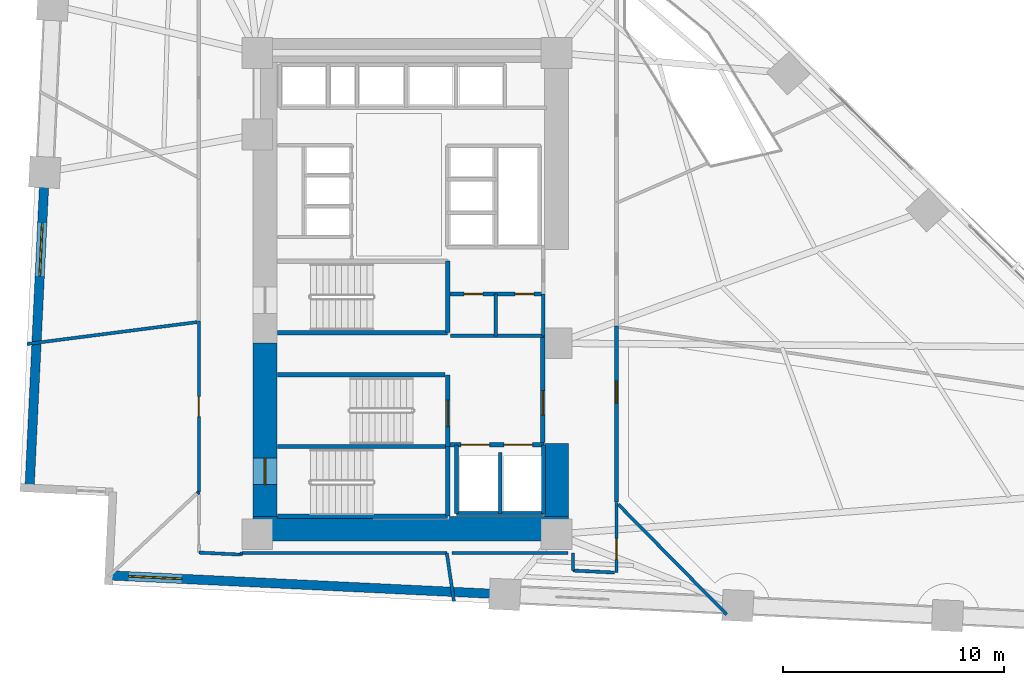
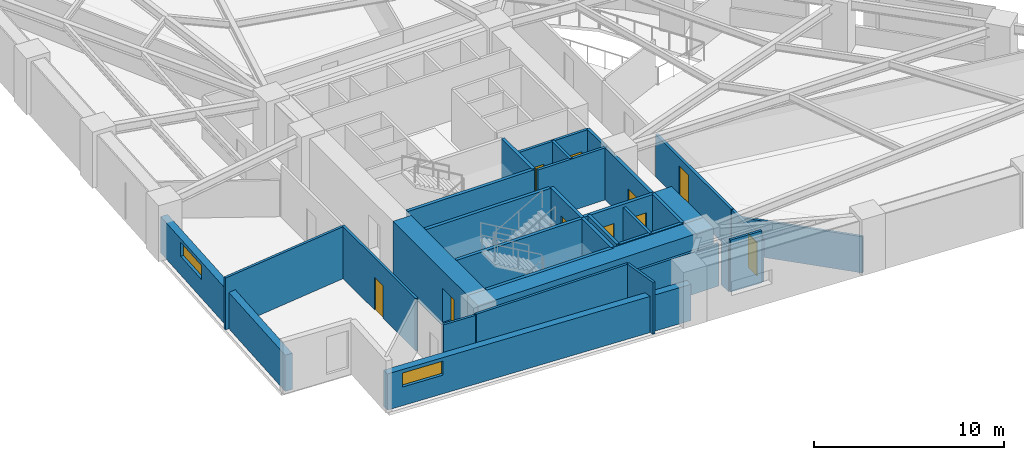
# One storey, part 13 of 17: 35 walls, 10 doors, 2 windows, 12 openings.
"""IFC4 building model written with IfcOpenShell, lengths in metres."""

from ifc_helpers import new_model, si_unit, direction, frame, frame_2d, origin, place, context, subcontext, project, spatial, rectangle, extrude, material, layer, layer_set, type_object, element, fill, save


model = new_model("IFC4")

# Units and contexts
model_context = context("Model", 3, precision=1e-05, world=origin(), true_north=direction((0.0, 1.0)))
body_context = subcontext(model_context, "Body", "Model", "MODEL_VIEW")
ifc_project = project(units=[si_unit("LENGTHUNIT", "METRE"), si_unit("AREAUNIT", "SQUARE_METRE"), si_unit("VOLUMEUNIT", "CUBIC_METRE"), si_unit("PLANEANGLEUNIT", "RADIAN"), si_unit("MASSUNIT", "GRAM", prefix="KILO")], contexts=[model_context])

# Site, building, storey
site_placement = place(None, origin())
site = spatial("IfcSite", under=ifc_project, at=site_placement, CompositionType="ELEMENT")
building_placement = place(site_placement, origin())
building = spatial("IfcBuilding", under=site, at=building_placement, Name="Narakoshi Arena Tower", CompositionType="ELEMENT")
storey_placement = place(building_placement, frame((0.0, 0.0, 33.89990234375)))
storey = spatial("IfcBuildingStorey", under=building, at=storey_placement, Name="L08", CompositionType="ELEMENT", Elevation=33.89990234375)

# Wall, opening, door
ifc_material_1 = material(Name="Concrete C60/75", Category="concrete")
ifc_layer_1 = layer(ifc_material_1, 1.10009765625)
ifc_layer_set_1 = layer_set([ifc_layer_1], Name="Concrete C60/75")
wall_type_1 = type_object("IfcWallType", Name="WL-CORE-1100", PredefinedType="SHEAR", material=ifc_layer_set_1)
wall_1_placement = place(storey_placement, frame((72.35009765625, 35.5, -0.199951171875), z_axis=(0.0, 0.0, 1.0), x_axis=(0.0, 1.0, 0.0)))
wall_1 = element("IfcWall", 1, at=wall_1_placement, inside=storey, type_object=wall_type_1, Name="L08 Central Core Shear Wall CW-APX-W", PredefinedType="SHEAR", context=body_context, shape_type="SweptSolid", body=[
    extrude(rectangle(XDim=7.85009765625, YDim=1.10009765625, at=frame_2d((3.925048828125, 0.0))), origin(), (0.0, 0.0, 1.0), 3.5400390625),
])
opening_1_placement = place(wall_1_placement, frame((1.449951171875, 0.0, 0.199951171875)))
opening_1 = element("IfcOpeningElement", 2, at=opening_1_placement, cuts=wall_1, Name="Opening D-03", PredefinedType="OPENING", context=body_context, shape_type="SweptSolid", body=[
    extrude(rectangle(XDim=1.199951171875, YDim=2.199951171875, at=frame_2d((0.60009765625, 1.10009765625))), frame((0.0, 0.56005859375, 0.0), z_axis=(0.0, -1.0, 0.0), x_axis=(1.0, 0.0, 0.0)), (0.0, 0.0, 1.0), 1.1201171875),
])
ifc_material_2 = material(Name="Painted galvanized steel", Category="steel")
door_type_1 = type_object("IfcDoorType", Name="DR-STR-1200", OperationType="NOTDEFINED", PredefinedType="USERDEFINED", material=ifc_material_2)
door_1_placement = place(opening_1_placement, frame((1.199951171875, 0.0, 0.0), z_axis=(0.0, 0.0, 1.0), x_axis=(-1.0, 0.0, 0.0)))
door_1 = element("IfcDoor", 3, at=door_1_placement, inside=storey, type_object=door_type_1, Name="DR-L08-001", ObjectType="EXITDOOR", OperationType="SINGLE_SWING_LEFT", OverallHeight=2.199951171875, OverallWidth=1.199951171875, PredefinedType="USERDEFINED", context=body_context, shape_type="SweptSolid", body=[
    extrude(rectangle(XDim=1.199951171875, YDim=2.199951171875, at=frame_2d((0.60009765625, 1.10009765625))), frame((0.0, 0.02490234375, 0.0), z_axis=(0.0, -1.0, 0.0), x_axis=(1.0, 0.0, 0.0)), (0.0, 0.0, 1.0), 0.050048828125),
])
fill(opening_1, door_1)

# Walls
wall_2_placement = place(storey_placement, frame((71.800048828125, 34.949951171875, -0.199951171875), z_axis=(0.0, 0.0, 1.0), x_axis=(1.0, 0.0, 0.0)))
element("IfcWall", 4, at=wall_2_placement, inside=storey, type_object=wall_type_1, Name="L08 Central Core Shear Wall CW-APX-S", PredefinedType="SHEAR", context=body_context, shape_type="SweptSolid", body=[
    extrude(rectangle(XDim=14.300048828125, YDim=1.10009765625, at=frame_2d((7.14990234375, 0.0))), origin(), (0.0, 0.0, 1.0), 3.5400390625),
])
wall_3_placement = place(storey_placement, frame((85.550048828125, 35.5, -0.199951171875), z_axis=(0.0, 0.0, 1.0), x_axis=(0.0, 1.0, 0.0)))
element("IfcWall", 5, at=wall_3_placement, inside=storey, type_object=wall_type_1, Name="L08 Central Core Shear Wall CW-APX-E", PredefinedType="SHEAR", context=body_context, shape_type="SweptSolid", body=[
    extrude(rectangle(XDim=3.300048828125, YDim=1.10009765625, at=frame_2d((1.64990234375, 0.0))), origin(), (0.0, 0.0, 1.0), 3.5400390625),
])

# Wall, opening, door
ifc_material_3 = material(Name="Gypsum plasterboard fire-rated partition")
ifc_layer_2 = layer(ifc_material_3, 0.1650390625)
ifc_layer_set_2 = layer_set([ifc_layer_2], Name="Gypsum plasterboard fire-rated partition")
wall_type_2 = type_object("IfcWallType", Name="WL-CORR-165", PredefinedType="PARTITIONING", material=ifc_layer_set_2)
wall_4_placement = place(storey_placement, frame((88.265625, 36.167724609375, 0.0), z_axis=(0.0, 0.0, 1.0), x_axis=(0.0, 1.0, 0.0)))
wall_4 = element("IfcWall", 6, at=wall_4_placement, inside=storey, type_object=wall_type_2, Name="L08 Corridor Partition 04-1", PredefinedType="PARTITIONING", context=body_context, shape_type="SweptSolid", body=[
    extrude(rectangle(XDim=7.96337890625, YDim=0.1650390625, at=frame_2d((3.981689453125, 0.0))), origin(), (0.0, 0.0, 1.0), 2.72509765625),
])
opening_2_placement = place(wall_4_placement, frame((4.466064453125, 0.0, 0.0)))
opening_2 = element("IfcOpeningElement", 7, at=opening_2_placement, cuts=wall_4, Name="Opening D-06", PredefinedType="OPENING", context=body_context, shape_type="SweptSolid", body=[
    extrude(rectangle(XDim=1.0, YDim=2.199951171875, at=frame_2d((0.5, 1.10009765625))), frame((0.0, 0.092529296875, 0.0), z_axis=(0.0, -1.0, 0.0), x_axis=(1.0, 0.0, 0.0)), (0.0, 0.0, 1.0), 0.18505859375),
])
ifc_material_4 = material(Name="Stained oak solid-core timber", Category="wood")
door_type_2 = type_object("IfcDoorType", Name="DR-OFF-1000", OperationType="NOTDEFINED", PredefinedType="DOOR", material=ifc_material_4)
door_2_placement = place(opening_2_placement, frame((1.0, 0.0, 0.0), z_axis=(0.0, 0.0, 1.0), x_axis=(-1.0, 0.0, 0.0)))
door_2 = element("IfcDoor", 8, at=door_2_placement, inside=storey, type_object=door_type_2, Name="DR-L08-017", OperationType="SINGLE_SWING_LEFT", OverallHeight=2.199951171875, OverallWidth=1.0, PredefinedType="DOOR", context=body_context, shape_type="SweptSolid", body=[
    extrude(rectangle(XDim=1.0, YDim=2.199951171875, at=frame_2d((0.5, 1.10009765625))), frame((0.0, 0.02490234375, 0.0), z_axis=(0.0, -1.0, 0.0), x_axis=(1.0, 0.0, 0.0)), (0.0, 0.0, 1.0), 0.050048828125),
])
fill(opening_2, door_2)

# Wall, opening, window
ifc_material_5 = material(Name="Precast concrete C45/55", Category="concrete")
ifc_layer_3 = layer(ifc_material_5, 0.419921875)
ifc_layer_set_3 = layer_set([ifc_layer_3], Name="Precast concrete C45/55")
wall_type_3 = type_object("IfcWallType", Name="WL-POD-420", PredefinedType="SOLIDWALL", material=ifc_layer_set_3)
wall_5_placement = place(storey_placement, frame((65.28076171875, 32.840576171875, 0.0), z_axis=(0.0, 0.0, 1.0), x_axis=(0.998848298084, -0.047979968897, 0.0)))
wall_5 = element("IfcWall", 9, at=wall_5_placement, inside=storey, type_object=wall_type_3, Name="L08 Architectural Concrete Facade Wall LEGA-1", PredefinedType="SOLIDWALL", context=body_context, shape_type="SweptSolid", body=[
    extrude(rectangle(XDim=17.951904296875, YDim=0.419921875, at=frame_2d((8.97607421875, 0.0))), origin(), (0.0, 0.0, 1.0), 2.3251953125),
])
opening_3_placement = place(wall_5_placement, frame((0.89990234375, 0.0, 1.199951171875)))
opening_3 = element("IfcOpeningElement", 10, at=opening_3_placement, cuts=wall_5, Name="Opening WN-01", PredefinedType="OPENING", context=body_context, shape_type="SweptSolid", body=[
    extrude(rectangle(XDim=2.39990234375, YDim=0.89990234375, at=frame_2d((1.199951171875, 0.449951171875))), frame((0.0, 0.219970703125, 0.0), z_axis=(0.0, -1.0, 0.0), x_axis=(1.0, 0.0, 0.0)), (0.0, 0.0, 1.0), 0.43994140625),
])
ifc_material_6 = material(Name="Bronze-tinted low-E laminated glass", Category="glass")
window_type = type_object("IfcWindowType", Name="WIN-SLT-24x09", PartitioningType="SINGLE_PANEL", PredefinedType="WINDOW", material=ifc_material_6)
window_1_placement = place(opening_3_placement, origin())
window_1 = element("IfcWindow", 11, at=window_1_placement, inside=storey, type_object=window_type, Name="L08 LEGA1 Horizontal Slot Window 1", OverallHeight=0.89990234375, OverallWidth=2.39990234375, PartitioningType="SINGLE_PANEL", PredefinedType="WINDOW", context=body_context, shape_type="SweptSolid", body=[
    extrude(rectangle(XDim=2.39990234375, YDim=0.89990234375, at=frame_2d((1.199951171875, 0.449951171875))), frame((0.0, 0.030029296875, 0.0), z_axis=(0.0, -1.0, 0.0), x_axis=(1.0, 0.0, 0.0)), (0.0, 0.0, 1.0), 0.06005859375),
])
fill(opening_3, window_1)

wall_6_placement = place(storey_placement, frame((62.3779296875, 51.08984375, 0.0), z_axis=(0.0, 0.0, 1.0), x_axis=(-0.047978424452, -0.99884837227, 0.0)))
wall_6 = element("IfcWall", 12, at=wall_6_placement, inside=storey, type_object=wall_type_3, Name="L08 Architectural Concrete Facade Wall LEGB-3", PredefinedType="SOLIDWALL", context=body_context, shape_type="SweptSolid", body=[
    extrude(rectangle(XDim=14.314208984375, YDim=0.419921875, at=frame_2d((7.1572265625, 0.0))), origin(), (0.0, 0.0, 1.0), 2.3251953125),
])
opening_4_placement = place(wall_6_placement, frame((2.300048828125, 0.0, 1.199951171875)))
opening_4 = element("IfcOpeningElement", 13, at=opening_4_placement, cuts=wall_6, Name="Opening WN-01", PredefinedType="OPENING", context=body_context, shape_type="SweptSolid", body=[
    extrude(rectangle(XDim=2.39990234375, YDim=0.89990234375, at=frame_2d((1.199951171875, 0.449951171875))), frame((0.0, 0.219970703125, 0.0), z_axis=(0.0, -1.0, 0.0), x_axis=(1.0, 0.0, 0.0)), (0.0, 0.0, 1.0), 0.43994140625),
])
window_2_placement = place(opening_4_placement, origin())
window_2 = element("IfcWindow", 14, at=window_2_placement, inside=storey, type_object=window_type, Name="L08 LEGB3 Horizontal Slot Window 1", OverallHeight=0.89990234375, OverallWidth=2.39990234375, PartitioningType="SINGLE_PANEL", PredefinedType="WINDOW", context=body_context, shape_type="SweptSolid", body=[
    extrude(rectangle(XDim=2.39990234375, YDim=0.89990234375, at=frame_2d((1.199951171875, 0.449951171875))), frame((0.0, 0.030029296875, 0.0), z_axis=(0.0, -1.0, 0.0), x_axis=(1.0, 0.0, 0.0)), (0.0, 0.0, 1.0), 0.06005859375),
])
fill(opening_4, window_2)

# Walls
ifc_material_7 = material(Name="Concrete C40/50", Category="concrete")
ifc_layer_4 = layer(ifc_material_7, 0.280029296875)
ifc_layer_set_4 = layer_set([ifc_layer_4], Name="Concrete C40/50")
wall_type_4 = type_object("IfcWallType", Name="WL-RISER-280", PredefinedType="PLUMBINGWALL", material=ifc_layer_set_4)
wall_7_placement = place(storey_placement, frame((83.0, 35.64990234375, 0.0), z_axis=(0.0, 0.0, 1.0), x_axis=(0.0, 1.0, 0.0)))
element("IfcWall", 15, at=wall_7_placement, inside=storey, type_object=wall_type_4, Name="L08 Core Wall FF-DIV", PredefinedType="PLUMBINGWALL", context=body_context, shape_type="SweptSolid", body=[
    extrude(rectangle(XDim=2.75, YDim=0.159912109375, at=frame_2d((1.375, 0.0))), origin(), (0.0, 0.0, 1.0), 3.340087890625),
])
wall_8_placement = place(storey_placement, frame((84.949951171875, 43.679931640625, 0.0), z_axis=(0.0, 0.0, 1.0), x_axis=(0.0, 1.0, 0.0)))
element("IfcWall", 16, at=wall_8_placement, inside=storey, type_object=wall_type_4, Name="L08 Core Wall RSR-E", PredefinedType="PLUMBINGWALL", context=body_context, shape_type="SweptSolid", body=[
    extrude(rectangle(XDim=1.900146484375, YDim=0.1650390625, at=frame_2d((0.9501953125, 0.0))), origin(), (0.0, 0.0, 1.0), 3.340087890625),
])

# Wall, openings, doors
wall_9_placement = place(storey_placement, frame((80.719970703125, 45.580078125, 0.0), z_axis=(0.0, 0.0, 1.0), x_axis=(1.0, 0.0, 0.0)))
wall_9 = element("IfcWall", 17, at=wall_9_placement, inside=storey, type_object=wall_type_4, Name="L08 Core Wall RSR-N", PredefinedType="PLUMBINGWALL", context=body_context, shape_type="SweptSolid", body=[
    extrude(rectangle(XDim=4.22998046875, YDim=0.159912109375, at=frame_2d((2.114990234375, 0.0))), origin(), (0.0, 0.0, 1.0), 3.340087890625),
])
opening_5_placement = place(wall_9_placement, frame((0.64990234375, 0.0, 0.0)))
opening_5 = element("IfcOpeningElement", 18, at=opening_5_placement, cuts=wall_9, Name="Opening D-10", PredefinedType="OPENING", context=body_context, shape_type="SweptSolid", body=[
    extrude(rectangle(XDim=0.85009765625, YDim=2.050048828125, at=frame_2d((0.425048828125, 1.02490234375))), frame((0.0, 0.08984375, 0.0), z_axis=(0.0, -1.0, 0.0), x_axis=(1.0, 0.0, 0.0)), (0.0, 0.0, 1.0), 0.179931640625),
])
opening_6_placement = place(wall_9_placement, frame((2.949951171875, 0.0, 0.0)))
opening_6 = element("IfcOpeningElement", 19, at=opening_6_placement, cuts=wall_9, Name="Opening D-10", PredefinedType="OPENING", context=body_context, shape_type="SweptSolid", body=[
    extrude(rectangle(XDim=0.85009765625, YDim=2.050048828125, at=frame_2d((0.425048828125, 1.02490234375))), frame((0.0, 0.08984375, 0.0), z_axis=(0.0, -1.0, 0.0), x_axis=(1.0, 0.0, 0.0)), (0.0, 0.0, 1.0), 0.179931640625),
])
door_type_3 = type_object("IfcDoorType", Name="DR-RSR-850", OperationType="NOTDEFINED", PredefinedType="DOOR", material=ifc_material_2)
door_3_placement = place(opening_5_placement, frame((0.85009765625, 0.0, 0.0), z_axis=(0.0, 0.0, 1.0), x_axis=(-1.0, 0.0, 0.0)))
door_3 = element("IfcDoor", 20, at=door_3_placement, inside=storey, type_object=door_type_3, Name="DR-L08-008", OperationType="SINGLE_SWING_LEFT", OverallHeight=2.050048828125, OverallWidth=0.85009765625, PredefinedType="DOOR", context=body_context, shape_type="SweptSolid", body=[
    extrude(rectangle(XDim=0.85009765625, YDim=2.050048828125, at=frame_2d((0.425048828125, 1.02490234375))), frame((0.0, 0.02490234375, 0.0), z_axis=(0.0, -1.0, 0.0), x_axis=(1.0, 0.0, 0.0)), (0.0, 0.0, 1.0), 0.050048828125),
])
fill(opening_5, door_3)
door_4_placement = place(opening_6_placement, frame((0.85009765625, 0.0, 0.0), z_axis=(0.0, 0.0, 1.0), x_axis=(-1.0, 0.0, 0.0)))
door_4 = element("IfcDoor", 21, at=door_4_placement, inside=storey, type_object=door_type_3, Name="DR-L08-009", OperationType="SINGLE_SWING_RIGHT", OverallHeight=2.050048828125, OverallWidth=0.85009765625, PredefinedType="DOOR", context=body_context, shape_type="SweptSolid", body=[
    extrude(rectangle(XDim=0.85009765625, YDim=2.050048828125, at=frame_2d((0.425048828125, 1.02490234375))), frame((0.0, 0.02490234375, 0.0), z_axis=(0.0, -1.0, 0.0), x_axis=(1.0, 0.0, 0.0)), (0.0, 0.0, 1.0), 0.050048828125),
])
fill(opening_6, door_4)

# Walls
wall_10_placement = place(storey_placement, frame((80.760009765625, 43.679931640625, 0.0), z_axis=(0.0, 0.0, 1.0), x_axis=(1.0, 0.0, 0.0)))
element("IfcWall", 22, at=wall_10_placement, inside=storey, type_object=wall_type_4, Name="L08 Core Wall RSR-S", PredefinedType="PLUMBINGWALL", context=body_context, shape_type="SweptSolid", body=[
    extrude(rectangle(XDim=4.18994140625, YDim=0.159912109375, at=frame_2d((2.094970703125, 0.0))), origin(), (0.0, 0.0, 1.0), 3.340087890625),
])
wall_11_placement = place(storey_placement, frame((82.800048828125, 43.679931640625, 0.0), z_axis=(0.0, 0.0, 1.0), x_axis=(0.0, 1.0, 0.0)))
element("IfcWall", 23, at=wall_11_placement, inside=storey, type_object=wall_type_4, Name="L08 Core Wall RSR-M", PredefinedType="PLUMBINGWALL", context=body_context, shape_type="SweptSolid", body=[
    extrude(rectangle(XDim=1.900146484375, YDim=0.159912109375, at=frame_2d((0.9501953125, 0.0))), origin(), (0.0, 0.0, 1.0), 3.340087890625),
])
ifc_material_8 = material(Name="Concrete C50/60", Category="concrete")
ifc_layer_5 = layer(ifc_material_8, 0.35009765625)
ifc_layer_set_5 = layer_set([ifc_layer_5], Name="Concrete C50/60")
wall_type_5 = type_object("IfcWallType", Name="WL-SHAFT-350", PredefinedType="SOLIDWALL", material=ifc_layer_set_5)
for number, where, z_axis, x_axis, name in (
    (24, (72.919921875, 35.52001953125, -0.199951171875), (0.0, 0.0, 1.0), (1.0, 0.0, 0.0), "L08 Core Wall ST1-S"),
    (25, (72.919921875, 38.675048828125, -0.199951171875), (0.0, 0.0, 1.0), (1.0, 0.0, 0.0), "L08 Core Wall ST12-DIV"),
):
    element("IfcWall", number, at=place(storey_placement, frame(where, z_axis=z_axis, x_axis=x_axis)), inside=storey, type_object=wall_type_5, Name=name, PredefinedType="SOLIDWALL", context=body_context, shape_type="SweptSolid", body=[
        extrude(rectangle(XDim=7.7001953125, YDim=0.199951171875, at=frame_2d((3.85009765625, 0.0))), origin(), (0.0, 0.0, 1.0), 3.5400390625),
    ])
wall_12_placement = place(storey_placement, frame((80.6201171875, 35.52001953125, -0.199951171875), z_axis=(0.0, 0.0, 1.0), x_axis=(0.0, 1.0, 0.0)))
element("IfcWall", 26, at=wall_12_placement, inside=storey, type_object=wall_type_5, Name="L08 Core Wall ST1-E", PredefinedType="SOLIDWALL", context=body_context, shape_type="SweptSolid", body=[
    extrude(rectangle(XDim=3.155029296875, YDim=0.199951171875, at=frame_2d((1.57763671875, 0.0))), origin(), (0.0, 0.0, 1.0), 3.5400390625),
])

# Wall, opening, door
wall_13_placement = place(storey_placement, frame((80.6201171875, 38.675048828125, -0.199951171875), z_axis=(0.0, 0.0, 1.0), x_axis=(0.0, 1.0, 0.0)))
wall_13 = element("IfcWall", 27, at=wall_13_placement, inside=storey, type_object=wall_type_5, Name="L08 Core Wall ST2-E", PredefinedType="SOLIDWALL", context=body_context, shape_type="SweptSolid", body=[
    extrude(rectangle(XDim=3.244873046875, YDim=0.199951171875, at=frame_2d((1.62255859375, 0.0))), origin(), (0.0, 0.0, 1.0), 3.5400390625),
])
opening_7_placement = place(wall_13_placement, frame((0.89990234375, 0.0, 0.199951171875)))
opening_7 = element("IfcOpeningElement", 28, at=opening_7_placement, cuts=wall_13, Name="Opening D-03", PredefinedType="OPENING", context=body_context, shape_type="SweptSolid", body=[
    extrude(rectangle(XDim=1.199951171875, YDim=2.199951171875, at=frame_2d((0.60009765625, 1.10009765625))), frame((0.0, 0.10986328125, 0.0), z_axis=(0.0, -1.0, 0.0), x_axis=(1.0, 0.0, 0.0)), (0.0, 0.0, 1.0), 0.219970703125),
])
door_5_placement = place(opening_7_placement, origin())
door_5 = element("IfcDoor", 29, at=door_5_placement, inside=storey, type_object=door_type_1, Name="DR-L08-002", ObjectType="EXITDOOR", OperationType="SINGLE_SWING_RIGHT", OverallHeight=2.199951171875, OverallWidth=1.199951171875, PredefinedType="USERDEFINED", context=body_context, shape_type="SweptSolid", body=[
    extrude(rectangle(XDim=1.199951171875, YDim=2.199951171875, at=frame_2d((0.60009765625, 1.10009765625))), frame((0.0, 0.02490234375, 0.0), z_axis=(0.0, -1.0, 0.0), x_axis=(1.0, 0.0, 0.0)), (0.0, 0.0, 1.0), 0.050048828125),
])
fill(opening_7, door_5)

# Wall, openings, doors
wall_14_placement = place(storey_placement, frame((80.719970703125, 38.75, 0.0), z_axis=(0.0, 0.0, 1.0), x_axis=(1.0, 0.0, 0.0)))
wall_14 = element("IfcWall", 30, at=wall_14_placement, inside=storey, type_object=wall_type_5, Name="L08 Core Wall FF-N", PredefinedType="SOLIDWALL", context=body_context, shape_type="SweptSolid", body=[
    extrude(rectangle(XDim=4.260009765625, YDim=0.199951171875, at=frame_2d((2.1298828125, 0.0))), origin(), (0.0, 0.0, 1.0), 3.340087890625),
])
opening_8_placement = place(wall_14_placement, frame((0.5, 0.0, 0.0)))
opening_8 = element("IfcOpeningElement", 31, at=opening_8_placement, cuts=wall_14, Name="Opening LD-02", PredefinedType="OPENING", context=body_context, shape_type="SweptSolid", body=[
    extrude(rectangle(XDim=1.300048828125, YDim=2.300048828125, at=frame_2d((0.64990234375, 1.14990234375))), frame((0.0, 0.10986328125, 0.0), z_axis=(0.0, -1.0, 0.0), x_axis=(1.0, 0.0, 0.0)), (0.0, 0.0, 1.0), 0.219970703125),
])
opening_9_placement = place(wall_14_placement, frame((2.449951171875, 0.0, 0.0)))
opening_9 = element("IfcOpeningElement", 32, at=opening_9_placement, cuts=wall_14, Name="Opening LD-02", PredefinedType="OPENING", context=body_context, shape_type="SweptSolid", body=[
    extrude(rectangle(XDim=1.300048828125, YDim=2.300048828125, at=frame_2d((0.64990234375, 1.14990234375))), frame((0.0, 0.10986328125, 0.0), z_axis=(0.0, -1.0, 0.0), x_axis=(1.0, 0.0, 0.0)), (0.0, 0.0, 1.0), 0.219970703125),
])
ifc_material_9 = material(Name="Brushed bronze stainless steel", Category="steel")
door_type_4 = type_object("IfcDoorType", Name="DR-LFT-1300", OperationType="DOUBLE_DOOR_SLIDING", PredefinedType="DOOR", material=ifc_material_9)
door_6_placement = place(opening_8_placement, origin())
door_6 = element("IfcDoor", 33, at=door_6_placement, inside=storey, type_object=door_type_4, Name="DR-L08-003", OperationType="DOUBLE_DOOR_SLIDING", OverallHeight=2.300048828125, OverallWidth=1.300048828125, PredefinedType="DOOR", context=body_context, shape_type="SweptSolid", body=[
    extrude(rectangle(XDim=1.300048828125, YDim=2.300048828125, at=frame_2d((0.64990234375, 1.14990234375))), frame((0.0, 0.02490234375, 0.0), z_axis=(0.0, -1.0, 0.0), x_axis=(1.0, 0.0, 0.0)), (0.0, 0.0, 1.0), 0.050048828125),
])
fill(opening_8, door_6)
door_7_placement = place(opening_9_placement, origin())
door_7 = element("IfcDoor", 34, at=door_7_placement, inside=storey, type_object=door_type_4, Name="DR-L08-004", OperationType="DOUBLE_DOOR_SLIDING", OverallHeight=2.300048828125, OverallWidth=1.300048828125, PredefinedType="DOOR", context=body_context, shape_type="SweptSolid", body=[
    extrude(rectangle(XDim=1.300048828125, YDim=2.300048828125, at=frame_2d((0.64990234375, 1.14990234375))), frame((0.0, 0.02490234375, 0.0), z_axis=(0.0, -1.0, 0.0), x_axis=(1.0, 0.0, 0.0)), (0.0, 0.0, 1.0), 0.050048828125),
])
fill(opening_9, door_7)

# Walls
for number, where, z_axis, x_axis, name in (
    (35, (84.949951171875, 35.64990234375, 0.0), (0.0, 0.0, 1.0), (0.0, 1.0, 0.0), "L08 Core Wall FF-E"),
    (36, (81.02001953125, 35.64990234375, 0.0), (0.0, 0.0, 1.0), (0.0, 1.0, 0.0), "L08 Core Wall FF-W"),
):
    element("IfcWall", number, at=place(storey_placement, frame(where, z_axis=z_axis, x_axis=x_axis)), inside=storey, type_object=wall_type_5, Name=name, PredefinedType="SOLIDWALL", context=body_context, shape_type="SweptSolid", body=[
        extrude(rectangle(XDim=3.10009765625, YDim=0.179931640625, at=frame_2d((1.550048828125, 0.0))), origin(), (0.0, 0.0, 1.0), 3.340087890625),
    ])
wall_15_placement = place(storey_placement, frame((81.02001953125, 35.64990234375, 0.0), z_axis=(0.0, 0.0, 1.0), x_axis=(1.0, 0.0, 0.0)))
element("IfcWall", 37, at=wall_15_placement, inside=storey, type_object=wall_type_5, Name="L08 Core Wall FF-S", PredefinedType="SOLIDWALL", context=body_context, shape_type="SweptSolid", body=[
    extrude(rectangle(XDim=3.929931640625, YDim=0.179931640625, at=frame_2d((1.96484375, 0.0))), origin(), (0.0, 0.0, 1.0), 3.340087890625),
])

# Wall, opening, door
wall_16_placement = place(storey_placement, frame((84.919921875, 38.85009765625, 0.0), z_axis=(0.0, 0.0, 1.0), x_axis=(0.0, 1.0, 0.0)))
wall_16 = element("IfcWall", 38, at=wall_16_placement, inside=storey, type_object=wall_type_5, Name="L08 Core Wall FFLOB-E", PredefinedType="SOLIDWALL", context=body_context, shape_type="SweptSolid", body=[
    extrude(rectangle(XDim=4.829833984375, YDim=0.199951171875, at=frame_2d((2.4150390625, 0.0))), origin(), (0.0, 0.0, 1.0), 3.340087890625),
])
opening_10_placement = place(wall_16_placement, frame((1.25, 0.0, 0.0)))
opening_10 = element("IfcOpeningElement", 39, at=opening_10_placement, cuts=wall_16, Name="Opening D-04", PredefinedType="OPENING", context=body_context, shape_type="SweptSolid", body=[
    extrude(rectangle(XDim=1.10009765625, YDim=2.199951171875, at=frame_2d((0.550048828125, 1.10009765625))), frame((0.0, 0.10986328125, 0.0), z_axis=(0.0, -1.0, 0.0), x_axis=(1.0, 0.0, 0.0)), (0.0, 0.0, 1.0), 0.219970703125),
])
door_type_5 = type_object("IfcDoorType", Name="DR-FFL-1100", OperationType="NOTDEFINED", PredefinedType="DOOR", material=ifc_material_2)
door_8_placement = place(opening_10_placement, frame((1.10009765625, 0.0, 0.0), z_axis=(0.0, 0.0, 1.0), x_axis=(-1.0, 0.0, 0.0)))
door_8 = element("IfcDoor", 40, at=door_8_placement, inside=storey, type_object=door_type_5, Name="DR-L08-005", OperationType="SINGLE_SWING_RIGHT", OverallHeight=2.199951171875, OverallWidth=1.10009765625, PredefinedType="DOOR", context=body_context, shape_type="SweptSolid", body=[
    extrude(rectangle(XDim=1.10009765625, YDim=2.199951171875, at=frame_2d((0.550048828125, 1.10009765625))), frame((0.0, 0.02490234375, 0.0), z_axis=(0.0, -1.0, 0.0), x_axis=(1.0, 0.0, 0.0)), (0.0, 0.0, 1.0), 0.050048828125),
])
fill(opening_10, door_8)

# Walls
wall_17_placement = place(storey_placement, frame((72.919921875, 41.919921875, -0.199951171875), z_axis=(0.0, 0.0, 1.0), x_axis=(1.0, 0.0, 0.0)))
element("IfcWall", 41, at=wall_17_placement, inside=storey, type_object=wall_type_5, Name="L08 Core Wall ST2-N", PredefinedType="SOLIDWALL", context=body_context, shape_type="SweptSolid", body=[
    extrude(rectangle(XDim=7.580078125, YDim=0.199951171875, at=frame_2d((3.7900390625, 0.0))), origin(), (0.0, 0.0, 1.0), 3.5400390625),
])
wall_18_placement = place(storey_placement, frame((72.919921875, 43.830078125, -0.199951171875), z_axis=(0.0, 0.0, 1.0), x_axis=(1.0, 0.0, 0.0)))
element("IfcWall", 42, at=wall_18_placement, inside=storey, type_object=wall_type_5, Name="L08 Core Wall ST3-S", PredefinedType="SOLIDWALL", context=body_context, shape_type="SweptSolid", body=[
    extrude(rectangle(XDim=7.7001953125, YDim=0.199951171875, at=frame_2d((3.85009765625, 0.0))), origin(), (0.0, 0.0, 1.0), 3.5400390625),
])
wall_19_placement = place(storey_placement, frame((80.6201171875, 43.830078125, -0.199951171875), z_axis=(0.0, 0.0, 1.0), x_axis=(0.0, 1.0, 0.0)))
element("IfcWall", 43, at=wall_19_placement, inside=storey, type_object=wall_type_5, Name="L08 Core Wall ST3-E", PredefinedType="SOLIDWALL", context=body_context, shape_type="SweptSolid", body=[
    extrude(rectangle(XDim=3.239990234375, YDim=0.199951171875, at=frame_2d((1.6201171875, 0.0))), origin(), (0.0, 0.0, 1.0), 3.5400390625),
])

# Wall, opening, door
ifc_material_10 = material(Name="Moisture-resistant cement-board partition")
ifc_layer_6 = layer(ifc_material_10, 0.14501953125)
ifc_layer_set_6 = layer_set([ifc_layer_6], Name="Moisture-resistant cement-board partition")
wall_type_6 = type_object("IfcWallType", Name="WL-WET-145", PredefinedType="PARTITIONING", material=ifc_layer_set_6)
wall_20_placement = place(storey_placement, frame((69.357421875, 44.353271484375, 0.0), z_axis=(0.0, 0.0, 1.0), x_axis=(0.0, -1.0, 0.0)))
wall_20 = element("IfcWall", 44, at=wall_20_placement, inside=storey, type_object=wall_type_6, Name="L08 Corridor Partition 01-1", PredefinedType="PARTITIONING", context=body_context, shape_type="SweptSolid", body=[
    extrude(rectangle(XDim=7.744384765625, YDim=0.14501953125, at=frame_2d((3.8720703125, 0.0))), origin(), (0.0, 0.0, 1.0), 3.340087890625),
])
opening_11_placement = place(wall_20_placement, frame((3.422119140625, 0.0, 0.0)))
opening_11 = element("IfcOpeningElement", 45, at=opening_11_placement, cuts=wall_20, Name="Opening D-08", PredefinedType="OPENING", context=body_context, shape_type="SweptSolid", body=[
    extrude(rectangle(XDim=0.89990234375, YDim=2.10009765625, at=frame_2d((0.449951171875, 1.050048828125))), frame((0.0, 0.08251953125, 0.0), z_axis=(0.0, -1.0, 0.0), x_axis=(1.0, 0.0, 0.0)), (0.0, 0.0, 1.0), 0.1650390625),
])
ifc_material_11 = material(Name="Moisture-resistant laminate timber", Category="wood")
door_type_6 = type_object("IfcDoorType", Name="DR-WC-900", OperationType="NOTDEFINED", PredefinedType="DOOR", material=ifc_material_11)
door_9_placement = place(opening_11_placement, frame((0.89990234375, 0.0, 0.0), z_axis=(0.0, 0.0, 1.0), x_axis=(-1.0, 0.0, 0.0)))
door_9 = element("IfcDoor", 46, at=door_9_placement, inside=storey, type_object=door_type_6, Name="DR-L08-014", OperationType="SINGLE_SWING_RIGHT", OverallHeight=2.10009765625, OverallWidth=0.89990234375, PredefinedType="DOOR", context=body_context, shape_type="SweptSolid", body=[
    extrude(rectangle(XDim=0.89990234375, YDim=2.10009765625, at=frame_2d((0.449951171875, 1.050048828125))), frame((0.0, 0.02490234375, 0.0), z_axis=(0.0, -1.0, 0.0), x_axis=(1.0, 0.0, 0.0)), (0.0, 0.0, 1.0), 0.050048828125),
])
fill(opening_11, door_9)

# Walls
wall_21_placement = place(storey_placement, frame((69.357421875, 36.60888671875, 0.0), z_axis=(0.0, 0.0, 1.0), x_axis=(-0.723154482123, -0.690686321701, 0.0)))
element("IfcWall", 47, at=wall_21_placement, inside=storey, type_object=wall_type_6, Name="L08 Corridor Partition 01-2", PredefinedType="PARTITIONING", context=body_context, shape_type="SweptSolid", body=[
    extrude(rectangle(XDim=0.082763671875, YDim=0.14501953125, at=frame_2d((0.04150390625, 0.0))), origin(), (0.0, 0.0, 1.0), 3.340087890625),
])
wall_22_placement = place(storey_placement, frame((61.5791015625, 43.31494140625, 0.0), z_axis=(0.0, 0.0, 1.0), x_axis=(0.991807089994, 0.127744652481, 0.0)))
element("IfcWall", 48, at=wall_22_placement, inside=storey, type_object=wall_type_6, Name="L08 Inter-Room Partition 01-09", PredefinedType="PARTITIONING", context=body_context, shape_type="SweptSolid", body=[
    extrude(rectangle(XDim=7.75732421875, YDim=0.14501953125, at=frame_2d((3.878662109375, 0.0))), origin(), (0.0, 0.0, 1.0), 3.340087890625),
])
wall_23_placement = place(storey_placement, frame((69.357421875, 33.87109375, 0.0), z_axis=(0.0, 0.0, 1.0), x_axis=(0.998850579145, -0.047932458132, 0.0)))
element("IfcWall", 49, at=wall_23_placement, inside=storey, type_object=wall_type_6, Name="L08 Corridor Partition 02-2", PredefinedType="PARTITIONING", context=body_context, shape_type="SweptSolid", body=[
    extrude(rectangle(XDim=1.894775390625, YDim=0.14501953125, at=frame_2d((0.947265625, 0.0))), origin(), (0.0, 0.0, 1.0), 3.340087890625),
])
wall_24_placement = place(storey_placement, frame((71.25, 33.7802734375, 0.0), z_axis=(0.0, 0.0, 1.0), x_axis=(0.652100218984, 0.758132774916, 0.0)))
element("IfcWall", 50, at=wall_24_placement, inside=storey, type_object=wall_type_6, Name="L08 Corridor Partition 02-3", PredefinedType="PARTITIONING", context=body_context, shape_type="SweptSolid", body=[
    extrude(rectangle(XDim=0.092041015625, YDim=0.14501953125, at=frame_2d((0.0458984375, 0.0))), origin(), (0.0, 0.0, 1.0), 3.340087890625),
])
wall_25_placement = place(storey_placement, frame((80.581787109375, 33.85009765625, 0.0), z_axis=(0.0, 0.0, 1.0), x_axis=(0.146308364434, -0.989239032033, 0.0)))
element("IfcWall", 51, at=wall_25_placement, inside=storey, type_object=wall_type_6, Name="L08 Inter-Room Partition 02-03", PredefinedType="PARTITIONING", context=body_context, shape_type="SweptSolid", body=[
    extrude(rectangle(XDim=2.209228515625, YDim=0.14501953125, at=frame_2d((1.1044921875, 0.0))), origin(), (0.0, 0.0, 1.0), 3.340087890625),
])

# Wall, opening, door
wall_26_placement = place(storey_placement, frame((88.265625, 32.962890625, 0.0), z_axis=(0.0, 0.0, 1.0), x_axis=(0.0, 1.0, 0.0)))
wall_26 = element("IfcWall", 52, at=wall_26_placement, inside=storey, type_object=wall_type_6, Name="L08 Corridor Partition 03-1", PredefinedType="PARTITIONING", context=body_context, shape_type="SweptSolid", body=[
    extrude(rectangle(XDim=3.1708984375, YDim=0.14501953125, at=frame_2d((1.58544921875, 0.0))), origin(), (0.0, 0.0, 1.0), 2.72509765625),
])
opening_12_placement = place(wall_26_placement, frame((0.6005859375, 0.0, 0.0)))
opening_12 = element("IfcOpeningElement", 53, at=opening_12_placement, cuts=wall_26, Name="Opening D-07", PredefinedType="OPENING", context=body_context, shape_type="SweptSolid", body=[
    extrude(rectangle(XDim=0.949951171875, YDim=2.14990234375, at=frame_2d((0.47509765625, 1.074951171875))), frame((0.0, 0.08251953125, 0.0), z_axis=(0.0, -1.0, 0.0), x_axis=(1.0, 0.0, 0.0)), (0.0, 0.0, 1.0), 0.1650390625),
])
door_type_7 = type_object("IfcDoorType", Name="DR-ACC-950", OperationType="NOTDEFINED", PredefinedType="DOOR", material=ifc_material_4)
door_10_placement = place(opening_12_placement, frame((0.949951171875, 0.0, 0.0), z_axis=(0.0, 0.0, 1.0), x_axis=(-1.0, 0.0, 0.0)))
door_10 = element("IfcDoor", 54, at=door_10_placement, inside=storey, type_object=door_type_7, Name="DR-L08-016", OperationType="SINGLE_SWING_LEFT", OverallHeight=2.14990234375, OverallWidth=0.949951171875, PredefinedType="DOOR", context=body_context, shape_type="SweptSolid", body=[
    extrude(rectangle(XDim=0.949951171875, YDim=2.14990234375, at=frame_2d((0.47509765625, 1.074951171875))), frame((0.0, 0.02490234375, 0.0), z_axis=(0.0, -1.0, 0.0), x_axis=(1.0, 0.0, 0.0)), (0.0, 0.0, 1.0), 0.050048828125),
])
fill(opening_12, door_10)

# Walls
wall_27_placement = place(storey_placement, frame((86.300048828125, 33.057373046875, 0.0), z_axis=(0.0, 0.0, 1.0), x_axis=(0.998848993308, -0.047965493514, 0.0)))
element("IfcWall", 55, at=wall_27_placement, inside=storey, type_object=wall_type_6, Name="L08 Corridor Partition 03-2", PredefinedType="PARTITIONING", context=body_context, shape_type="SweptSolid", body=[
    extrude(rectangle(XDim=1.88330078125, YDim=0.14501953125, at=frame_2d((0.941650390625, 0.0))), origin(), (0.0, 0.0, 1.0), 3.340087890625),
])
wall_28_placement = place(storey_placement, frame((86.300048828125, 33.85009765625, 0.0), z_axis=(0.0, 0.0, 1.0), x_axis=(0.0, -1.0, 0.0)))
element("IfcWall", 56, at=wall_28_placement, inside=storey, type_object=wall_type_6, Name="L08 Corridor Partition 03-3", PredefinedType="PARTITIONING", context=body_context, shape_type="SweptSolid", body=[
    extrude(rectangle(XDim=0.792724609375, YDim=0.14501953125, at=frame_2d((0.396484375, 0.0))), origin(), (0.0, 0.0, 1.0), 2.875),
])
wall_29_placement = place(storey_placement, frame((88.35009765625, 36.048095703125, 0.0), z_axis=(0.0, 0.0, 1.0), x_axis=(0.701810322679, -0.712363861366, 0.0)))
element("IfcWall", 57, at=wall_29_placement, inside=storey, type_object=wall_type_6, Name="L08 Inter-Room Partition 03-04", PredefinedType="PARTITIONING", context=body_context, shape_type="SweptSolid", body=[
    extrude(rectangle(XDim=6.986328125, YDim=0.14501953125, at=frame_2d((3.4931640625, 0.0))), origin(), (0.0, 0.0, 1.0), 2.3251953125),
])
wall_30_placement = place(storey_placement, frame((71.31005859375, 33.85009765625, 0.0), z_axis=(0.0, 0.0, 1.0), x_axis=(1.0, 0.0, 0.0)))
element("IfcWall", 58, at=wall_30_placement, inside=storey, type_object=wall_type_6, Name="L08 Room Enclosure Partition 02-1", PredefinedType="PARTITIONING", context=body_context, shape_type="SweptSolid", body=[
    extrude(rectangle(XDim=9.271728515625, YDim=0.14501953125, at=frame_2d((4.6357421875, 0.0))), origin(), (0.0, 0.0, 1.0), 3.340087890625),
])
wall_31_placement = place(storey_placement, frame((80.816650390625, 33.85009765625, 0.0), z_axis=(0.0, 0.0, 1.0), x_axis=(1.0, 0.0, 0.0)))
element("IfcWall", 59, at=wall_31_placement, inside=storey, type_object=wall_type_6, Name="L08 Room Enclosure Partition 03-1", PredefinedType="PARTITIONING", context=body_context, shape_type="SweptSolid", body=[
    extrude(rectangle(XDim=5.250732421875, YDim=0.14501953125, at=frame_2d((2.62548828125, 0.0))), origin(), (0.0, 0.0, 1.0), 2.72509765625),
])

save(model, "model.ifc")
